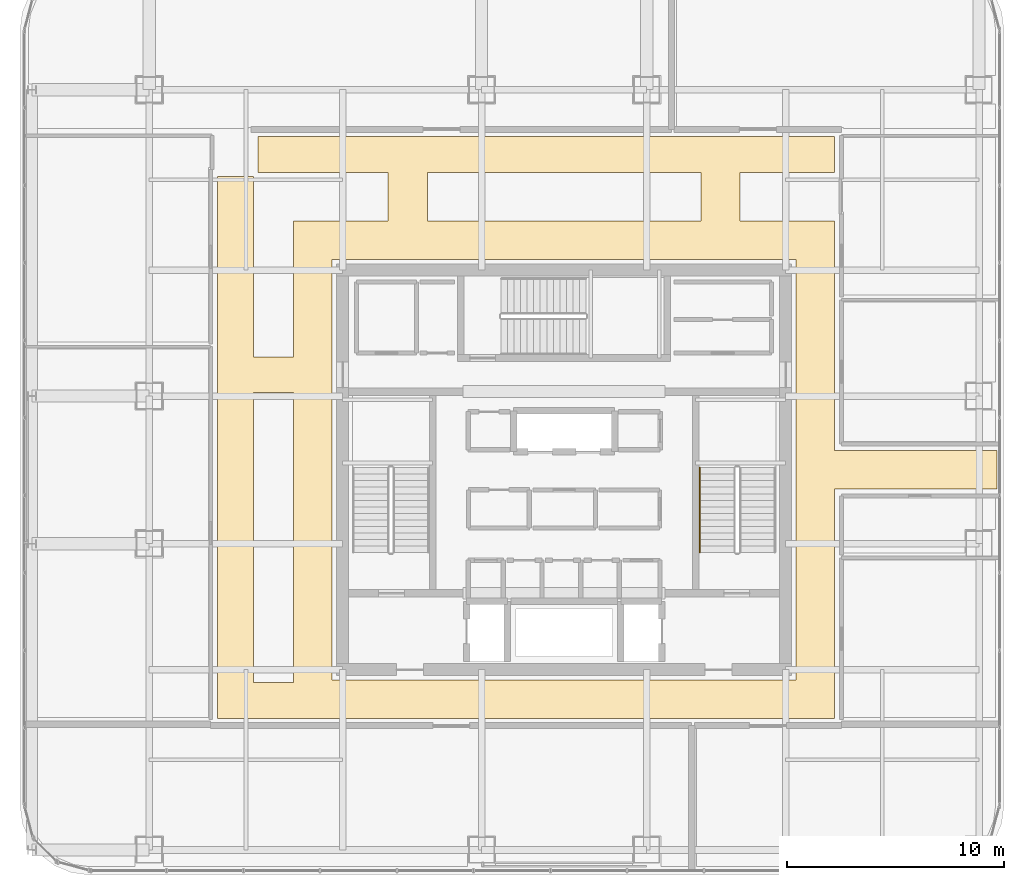
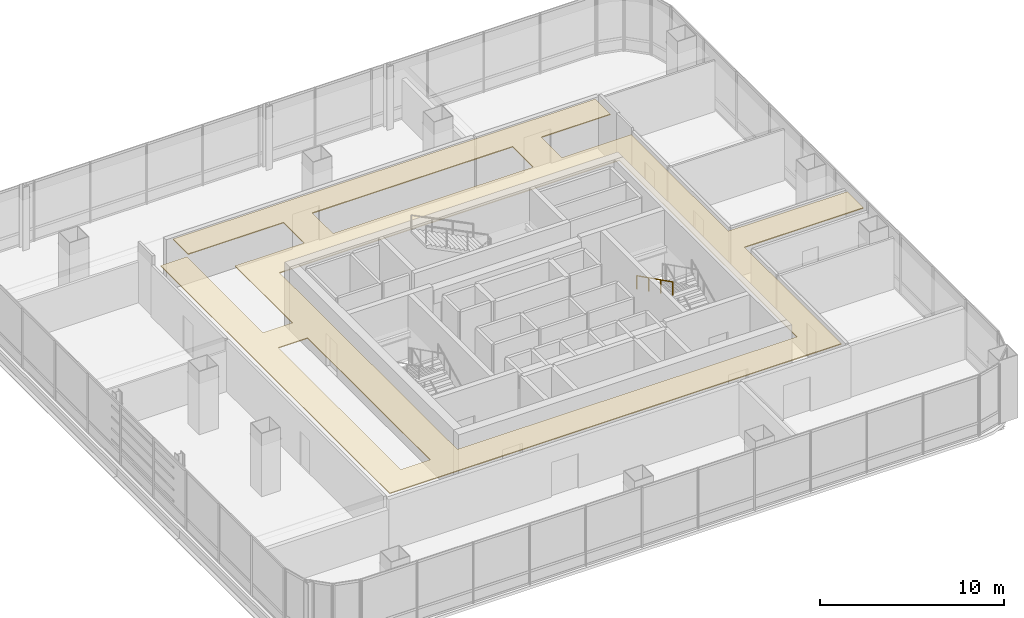
# One storey, part 40 of 42: 1 covering, 1 railing.
"""IFC4 building model written with IfcOpenShell, lengths in metres."""

from ifc_helpers import new_model, si_unit, direction, frame, origin, origin_2d, place, context, subcontext, project, spatial, polyline, circle, outline, extrude, material, layer, layer_set, type_object, element, save


model = new_model("IFC4")

# Units and contexts
model_context = context("Model", 3, precision=1e-05, world=origin(), true_north=direction((0.0, 1.0)))
body_context = subcontext(model_context, "Body", "Model", "MODEL_VIEW")
ifc_project = project(units=[si_unit("LENGTHUNIT", "METRE"), si_unit("AREAUNIT", "SQUARE_METRE"), si_unit("VOLUMEUNIT", "CUBIC_METRE"), si_unit("PLANEANGLEUNIT", "RADIAN"), si_unit("MASSUNIT", "GRAM", prefix="KILO")], contexts=[model_context])

# Site, building, storey
site_placement = place(None, origin())
site = spatial("IfcSite", under=ifc_project, at=site_placement, CompositionType="ELEMENT")
building_placement = place(site_placement, origin())
building = spatial("IfcBuilding", under=site, at=building_placement, Name="Punatoya Terracotta Tower", CompositionType="ELEMENT")
storey_placement = place(building_placement, frame((0.0, 0.0, 304.800048828125)))
storey = spatial("IfcBuildingStorey", under=building, at=storey_placement, Name="L72", CompositionType="ELEMENT", Elevation=304.800048828125)

# Covering
ifc_material_1 = material(Name="Acoustic Mineral Fibre Ceiling")
ifc_layer = layer(ifc_material_1, 0.06005859375)
ifc_layer_set = layer_set([ifc_layer], Name="Acoustic Mineral Fibre Ceiling")
covering_type = type_object("IfcCoveringType", Name="COV-CEIL-60", PredefinedType="CEILING", material=ifc_layer_set)
covering_placement = place(storey_placement, frame((0.0, 0.0, 3.389892578125)))
element("IfcCovering", 1, at=covering_placement, inside=storey, type_object=covering_type, Name="L72 Executive Circulation Corridor Acoustic Ceiling", PredefinedType="CEILING", context=body_context, shape_type="SweptSolid", body=[
    extrude(outline(polyline([(-14.300048828125, 5.199951171875), (-14.300048828125, 13.5), (-15.949951171875, 13.5), (-15.949951171875, -11.449951171875), (12.449951171875, -11.449951171875), (12.449951171875, -0.8798828125), (19.929931640625, -0.8798828125), (19.929931640625, 0.8798828125), (12.449951171875, 0.8798828125), (12.449951171875, 11.449951171875), (8.10009765625, 11.449951171875), (8.10009765625, 13.699951171875), (12.449951171875, 13.699951171875), (12.449951171875, 15.35009765625), (-14.10009765625, 15.35009765625), (-14.10009765625, 13.699951171875), (-8.10009765625, 13.699951171875), (-8.10009765625, 11.449951171875), (-12.449951171875, 11.449951171875), (-12.449951171875, 5.199951171875), (-14.300048828125, 5.199951171875)]), holes=[polyline([(10.679931640625, 9.679931640625), (10.679931640625, -9.679931640625), (-10.679931640625, -9.679931640625), (-10.679931640625, 9.679931640625), (10.679931640625, 9.679931640625)]), polyline([(6.300048828125, 13.699951171875), (6.300048828125, 11.449951171875), (-6.300048828125, 11.449951171875), (-6.300048828125, 13.699951171875), (6.300048828125, 13.699951171875)]), polyline([(-14.300048828125, 3.550048828125), (-12.449951171875, 3.550048828125), (-12.449951171875, -9.800048828125), (-14.300048828125, -9.800048828125), (-14.300048828125, 3.550048828125)])]), origin(), (0.0, 0.0, 1.0), 0.06005859375),
])

# Railing
ifc_material_2 = material(Name="Steel S355", Category="steel")
railing_type = type_object("IfcRailingType", Name="RLG-HND-900", PredefinedType="HANDRAIL", material=ifc_material_2)
railing_placement = place(storey_placement, frame((6.25, 0.10009765625, 2.25)))
element("IfcRailing", 2, at=railing_placement, inside=storey, type_object=railing_type, Name="L72 ST-2 stair handrail 2", PredefinedType="HANDRAIL", context=body_context, shape_type="SweptSolid", body=[
    extrude(circle(Radius=0.02392578125, at=origin_2d()), frame((0.0, 0.0, 0.8759765625), z_axis=(0.0, -0.894438388696, 0.447191199406), x_axis=(1.0, 0.0, 0.0)), (0.0, 0.0, 1.0), 4.3603515625),
    extrude(circle(Radius=0.02099609375, at=origin_2d()), origin(), (0.0, 0.0, 1.0), 0.851806640625),
    extrude(circle(Radius=0.02099609375, at=origin_2d()), frame((0.0, -1.300048828125, 0.64990234375)), (0.0, 0.0, 1.0), 0.851806640625),
    extrude(circle(Radius=0.02099609375, at=origin_2d()), frame((0.0, -2.60009765625, 1.300048828125)), (0.0, 0.0, 1.0), 0.851806640625),
    extrude(circle(Radius=0.02099609375, at=origin_2d()), frame((0.0, -3.900146484375, 1.949951171875)), (0.0, 0.0, 1.0), 0.851806640625),
])

save(model, "model.ifc")
